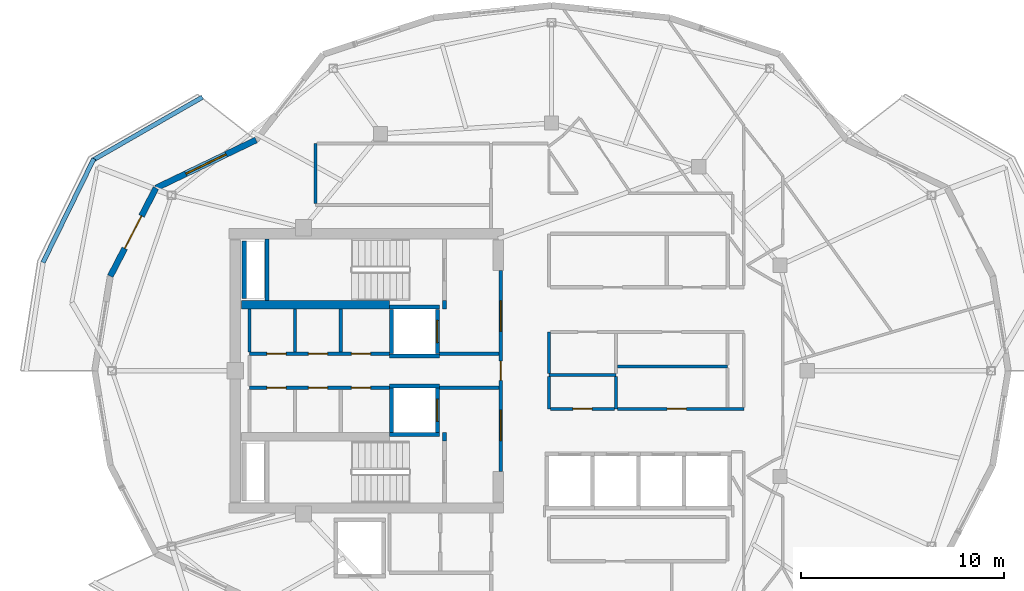
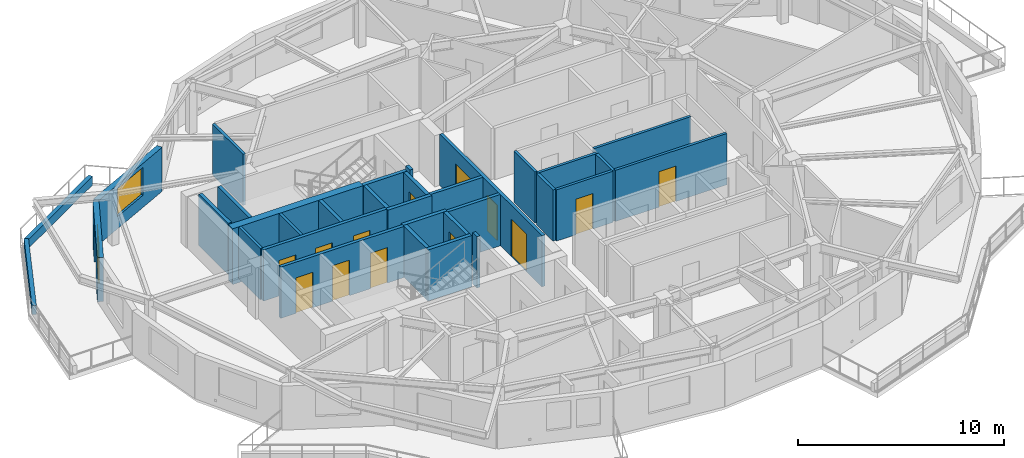
# One storey, part 5 of 11: 33 walls, 14 doors, 1 window, 15 openings.
"""IFC4 building model written with IfcOpenShell, lengths in metres."""

from ifc_helpers import new_model, si_unit, direction, frame, frame_2d, origin, place, context, subcontext, project, spatial, rectangle, extrude, material, layer, layer_set, type_object, element, fill, save


model = new_model("IFC4")

# Units and contexts
model_context = context("Model", 3, precision=1e-05, world=origin(), true_north=direction((0.0, 1.0)))
body_context = subcontext(model_context, "Body", "Model", "MODEL_VIEW")
ifc_project = project(units=[si_unit("LENGTHUNIT", "METRE"), si_unit("AREAUNIT", "SQUARE_METRE"), si_unit("VOLUMEUNIT", "CUBIC_METRE"), si_unit("PLANEANGLEUNIT", "RADIAN"), si_unit("MASSUNIT", "GRAM", prefix="KILO")], contexts=[model_context])

# Site, building, storey
site_placement = place(None, origin())
site = spatial("IfcSite", under=ifc_project, at=site_placement, CompositionType="ELEMENT")
building_placement = place(site_placement, origin())
building = spatial("IfcBuilding", under=site, at=building_placement, Name="Kolvaren Gate Tower and Convention Centre", CompositionType="ELEMENT")
storey_placement = place(building_placement, frame((0.0, 0.0, 242.60009765625)))
storey = spatial("IfcBuildingStorey", under=building, at=storey_placement, Name="L65", CompositionType="ELEMENT", Elevation=242.60009765625)

# Walls
ifc_material_1 = material(Name="Autoclaved Aerated Masonry Blockwork Class 4 (4.0 MPa)", Category="masonry")
ifc_layer_1 = layer(ifc_material_1, 0.179931640625)
ifc_layer_set_1 = layer_set([ifc_layer_1], Name="Autoclaved Aerated Masonry Blockwork Class 4 (4.0 MPa)")
wall_type_1 = type_object("IfcWallType", Name="ARCH-WL-COMP-180", PredefinedType="SOLIDWALL", material=ifc_layer_set_1)
for number, where, z_axis, x_axis, name in (
    (1, (24.85009765625, 23.5400390625, 0.0), (0.0, 0.0, 1.0), (0.0, 1.0, 0.0), "Interior Partition WL-L65-INT-001"),
    (2, (24.85009765625, 30.0400390625, 0.0), (0.0, 0.0, 1.0), (0.0, 1.0, 0.0), "Interior Partition WL-L65-INT-002"),
):
    element("IfcWall", number, at=place(storey_placement, frame(where, z_axis=z_axis, x_axis=x_axis)), inside=storey, type_object=wall_type_1, Name=name, PredefinedType="SOLIDWALL", context=body_context, shape_type="SweptSolid", body=[
        extrude(rectangle(XDim=0.419921875, YDim=0.179931640625, at=frame_2d((0.2099609375, 0.0))), origin(), (0.0, 0.0, 1.0), 3.02978515625),
    ])

# Wall, openings, doors
wall_1_placement = place(storey_placement, frame((27.6201171875, 22.050048828125, 0.0), z_axis=(0.0, 0.0, 1.0), x_axis=(0.0, 1.0, 0.0)))
wall_1 = element("IfcWall", 3, at=wall_1_placement, inside=storey, type_object=wall_type_1, Name="Interior Partition WL-L65-INT-003", PredefinedType="SOLIDWALL", context=body_context, shape_type="SweptSolid", body=[
    extrude(rectangle(XDim=9.89990234375, YDim=0.179931640625, at=frame_2d((4.949951171875, 0.0))), origin(), (0.0, 0.0, 1.0), 3.02978515625),
])
opening_1_placement = place(wall_1_placement, frame((4.47509765625, 0.0, 0.0)))
opening_1 = element("IfcOpeningElement", 4, at=opening_1_placement, cuts=wall_1, Name="Opening DR-01", PredefinedType="OPENING", context=body_context, shape_type="SweptSolid", body=[
    extrude(rectangle(XDim=0.949951171875, YDim=2.10009765625, at=frame_2d((0.47509765625, 1.050048828125))), frame((0.0, 0.099853515625, 0.0), z_axis=(0.0, -1.0, 0.0), x_axis=(1.0, 0.0, 0.0)), (0.0, 0.0, 1.0), 0.199951171875),
])
opening_2_placement = place(wall_1_placement, frame((6.889892578125, 0.0, 0.0)))
opening_2 = element("IfcOpeningElement", 5, at=opening_2_placement, cuts=wall_1, Name="Opening DL-01", PredefinedType="OPENING", context=body_context, shape_type="SweptSolid", body=[
    extrude(rectangle(XDim=1.5, YDim=2.199951171875, at=frame_2d((0.75, 1.10009765625))), frame((0.0, 0.099853515625, 0.0), z_axis=(0.0, -1.0, 0.0), x_axis=(1.0, 0.0, 0.0)), (0.0, 0.0, 1.0), 0.199951171875),
])
opening_3_placement = place(wall_1_placement, frame((1.510009765625, 0.0, 0.0)))
opening_3 = element("IfcOpeningElement", 6, at=opening_3_placement, cuts=wall_1, Name="Opening DL-01", PredefinedType="OPENING", context=body_context, shape_type="SweptSolid", body=[
    extrude(rectangle(XDim=1.5, YDim=2.199951171875, at=frame_2d((0.75, 1.10009765625))), frame((0.0, 0.099853515625, 0.0), z_axis=(0.0, -1.0, 0.0), x_axis=(1.0, 0.0, 0.0)), (0.0, 0.0, 1.0), 0.199951171875),
])
ifc_material_2 = material(Name="Painted Architectural Steelwork ASTM A500 Grade C 345 MPa", Category="steel")
door_type_1 = type_object("IfcDoorType", Name="ARCH-DR-LOBBY-1500", OperationType="DOUBLE_DOOR_SINGLE_SWING", PredefinedType="DOOR", material=ifc_material_2)
door_1_placement = place(opening_2_placement, origin())
door_1 = element("IfcDoor", 7, at=door_1_placement, inside=storey, type_object=door_type_1, Name="North Firefighting Stair and Lift Lobby Door", OperationType="DOUBLE_DOOR_SINGLE_SWING", OverallHeight=2.199951171875, OverallWidth=1.5, PredefinedType="DOOR", context=body_context, shape_type="SweptSolid", body=[
    extrude(rectangle(XDim=1.5, YDim=2.199951171875, at=frame_2d((0.75, 1.10009765625))), frame((0.0, 0.02490234375, 0.0), z_axis=(0.0, -1.0, 0.0), x_axis=(1.0, 0.0, 0.0)), (0.0, 0.0, 1.0), 0.050048828125),
])
fill(opening_2, door_1)
door_2_placement = place(opening_3_placement, origin())
door_2 = element("IfcDoor", 8, at=door_2_placement, inside=storey, type_object=door_type_1, Name="South Firefighting Stair and Lift Lobby Door", OperationType="DOUBLE_DOOR_SINGLE_SWING", OverallHeight=2.199951171875, OverallWidth=1.5, PredefinedType="DOOR", context=body_context, shape_type="SweptSolid", body=[
    extrude(rectangle(XDim=1.5, YDim=2.199951171875, at=frame_2d((0.75, 1.10009765625))), frame((0.0, 0.02490234375, 0.0), z_axis=(0.0, -1.0, 0.0), x_axis=(1.0, 0.0, 0.0)), (0.0, 0.0, 1.0), 0.050048828125),
])
fill(opening_3, door_2)
door_type_2 = type_object("IfcDoorType", Name="ARCH-DR-RISER-950", OperationType="SINGLE_SWING_RIGHT", PredefinedType="DOOR", material=ifc_material_2)
door_3_placement = place(opening_1_placement, origin())
door_3 = element("IfcDoor", 9, at=door_3_placement, inside=storey, type_object=door_type_2, Name="Central MEP Service Corridor Door", OperationType="SINGLE_SWING_LEFT", OverallHeight=2.10009765625, OverallWidth=0.949951171875, PredefinedType="DOOR", context=body_context, shape_type="SweptSolid", body=[
    extrude(rectangle(XDim=0.949951171875, YDim=2.10009765625, at=frame_2d((0.47509765625, 1.050048828125))), frame((0.0, 0.02490234375, 0.0), z_axis=(0.0, -1.0, 0.0), x_axis=(1.0, 0.0, 0.0)), (0.0, 0.0, 1.0), 0.050048828125),
])
fill(opening_1, door_3)

wall_2_placement = place(storey_placement, frame((15.25, 27.840087890625, 0.0), z_axis=(0.0, 0.0, 1.0), x_axis=(1.0, 0.0, 0.0)))
wall_2 = element("IfcWall", 10, at=wall_2_placement, inside=storey, type_object=wall_type_1, Name="Interior Partition WL-L65-INT-004", PredefinedType="SOLIDWALL", context=body_context, shape_type="SweptSolid", body=[
    extrude(rectangle(XDim=6.89990234375, YDim=0.179931640625, at=frame_2d((3.449951171875, 0.0))), origin(), (0.0, 0.0, 1.0), 3.02978515625),
])
opening_4_placement = place(wall_2_placement, frame((5.02001953125, 0.0, 0.0)))
opening_4 = element("IfcOpeningElement", 11, at=opening_4_placement, cuts=wall_2, Name="Opening DR-01", PredefinedType="OPENING", context=body_context, shape_type="SweptSolid", body=[
    extrude(rectangle(XDim=0.949951171875, YDim=2.10009765625, at=frame_2d((0.47509765625, 1.050048828125))), frame((0.0, 0.099853515625, 0.0), z_axis=(0.0, -1.0, 0.0), x_axis=(1.0, 0.0, 0.0)), (0.0, 0.0, 1.0), 0.199951171875),
])
opening_5_placement = place(wall_2_placement, frame((0.85498046875, 0.0, 0.0)))
opening_5 = element("IfcOpeningElement", 12, at=opening_5_placement, cuts=wall_2, Name="Opening DR-01", PredefinedType="OPENING", context=body_context, shape_type="SweptSolid", body=[
    extrude(rectangle(XDim=0.949951171875, YDim=2.10009765625, at=frame_2d((0.47509765625, 1.050048828125))), frame((0.0, 0.099853515625, 0.0), z_axis=(0.0, -1.0, 0.0), x_axis=(1.0, 0.0, 0.0)), (0.0, 0.0, 1.0), 0.199951171875),
])
opening_6_placement = place(wall_2_placement, frame((2.89990234375, 0.0, 0.0)))
opening_6 = element("IfcOpeningElement", 13, at=opening_6_placement, cuts=wall_2, Name="Opening DR-01", PredefinedType="OPENING", context=body_context, shape_type="SweptSolid", body=[
    extrude(rectangle(XDim=0.949951171875, YDim=2.10009765625, at=frame_2d((0.47509765625, 1.050048828125))), frame((0.0, 0.099853515625, 0.0), z_axis=(0.0, -1.0, 0.0), x_axis=(1.0, 0.0, 0.0)), (0.0, 0.0, 1.0), 0.199951171875),
])
door_4_placement = place(opening_4_placement, origin())
door_4 = element("IfcDoor", 14, at=door_4_placement, inside=storey, type_object=door_type_2, Name="Electrical Switchgear Closet Door", OperationType="SINGLE_SWING_RIGHT", OverallHeight=2.10009765625, OverallWidth=0.949951171875, PredefinedType="DOOR", context=body_context, shape_type="SweptSolid", body=[
    extrude(rectangle(XDim=0.949951171875, YDim=2.10009765625, at=frame_2d((0.47509765625, 1.050048828125))), frame((0.0, 0.02490234375, 0.0), z_axis=(0.0, -1.0, 0.0), x_axis=(1.0, 0.0, 0.0)), (0.0, 0.0, 1.0), 0.050048828125),
])
fill(opening_4, door_4)
door_5_placement = place(opening_5_placement, origin())
door_5 = element("IfcDoor", 15, at=door_5_placement, inside=storey, type_object=door_type_2, Name="Staff Accessible WC Door", OperationType="SINGLE_SWING_RIGHT", OverallHeight=2.10009765625, OverallWidth=0.949951171875, PredefinedType="DOOR", context=body_context, shape_type="SweptSolid", body=[
    extrude(rectangle(XDim=0.949951171875, YDim=2.10009765625, at=frame_2d((0.47509765625, 1.050048828125))), frame((0.0, 0.02490234375, 0.0), z_axis=(0.0, -1.0, 0.0), x_axis=(1.0, 0.0, 0.0)), (0.0, 0.0, 1.0), 0.050048828125),
])
fill(opening_5, door_5)
door_6_placement = place(opening_6_placement, origin())
door_6 = element("IfcDoor", 16, at=door_6_placement, inside=storey, type_object=door_type_2, Name="Housekeeping Sink Closet Door", OperationType="SINGLE_SWING_LEFT", OverallHeight=2.10009765625, OverallWidth=0.949951171875, PredefinedType="DOOR", context=body_context, shape_type="SweptSolid", body=[
    extrude(rectangle(XDim=0.949951171875, YDim=2.10009765625, at=frame_2d((0.47509765625, 1.050048828125))), frame((0.0, 0.02490234375, 0.0), z_axis=(0.0, -1.0, 0.0), x_axis=(1.0, 0.0, 0.0)), (0.0, 0.0, 1.0), 0.050048828125),
])
fill(opening_6, door_6)

# Wall
wall_3_placement = place(storey_placement, frame((24.60009765625, 27.840087890625, 0.0), z_axis=(0.0, 0.0, 1.0), x_axis=(1.0, 0.0, 0.0)))
element("IfcWall", 17, at=wall_3_placement, inside=storey, type_object=wall_type_1, Name="Interior Partition WL-L65-INT-004 (2)", PredefinedType="SOLIDWALL", context=body_context, shape_type="SweptSolid", body=[
    extrude(rectangle(XDim=2.927978515625, YDim=0.179931640625, at=frame_2d((1.4638671875, 0.0))), origin(), (0.0, 0.0, 1.0), 3.02978515625),
])

# Wall, openings, doors
wall_4_placement = place(storey_placement, frame((15.25, 26.159912109375, 0.0), z_axis=(0.0, 0.0, 1.0), x_axis=(1.0, 0.0, 0.0)))
wall_4 = element("IfcWall", 18, at=wall_4_placement, inside=storey, type_object=wall_type_1, Name="Interior Partition WL-L65-INT-005", PredefinedType="SOLIDWALL", context=body_context, shape_type="SweptSolid", body=[
    extrude(rectangle(XDim=6.89990234375, YDim=0.179931640625, at=frame_2d((3.449951171875, 0.0))), origin(), (0.0, 0.0, 1.0), 3.02978515625),
])
opening_7_placement = place(wall_4_placement, frame((5.02001953125, 0.0, 0.0)))
opening_7 = element("IfcOpeningElement", 19, at=opening_7_placement, cuts=wall_4, Name="Opening DR-01", PredefinedType="OPENING", context=body_context, shape_type="SweptSolid", body=[
    extrude(rectangle(XDim=0.949951171875, YDim=2.10009765625, at=frame_2d((0.47509765625, 1.050048828125))), frame((0.0, 0.099853515625, 0.0), z_axis=(0.0, -1.0, 0.0), x_axis=(1.0, 0.0, 0.0)), (0.0, 0.0, 1.0), 0.199951171875),
])
opening_8_placement = place(wall_4_placement, frame((0.85498046875, 0.0, 0.0)))
opening_8 = element("IfcOpeningElement", 20, at=opening_8_placement, cuts=wall_4, Name="Opening DR-01", PredefinedType="OPENING", context=body_context, shape_type="SweptSolid", body=[
    extrude(rectangle(XDim=0.949951171875, YDim=2.10009765625, at=frame_2d((0.47509765625, 1.050048828125))), frame((0.0, 0.099853515625, 0.0), z_axis=(0.0, -1.0, 0.0), x_axis=(1.0, 0.0, 0.0)), (0.0, 0.0, 1.0), 0.199951171875),
])
opening_9_placement = place(wall_4_placement, frame((2.89990234375, 0.0, 0.0)))
opening_9 = element("IfcOpeningElement", 21, at=opening_9_placement, cuts=wall_4, Name="Opening DR-01", PredefinedType="OPENING", context=body_context, shape_type="SweptSolid", body=[
    extrude(rectangle(XDim=0.949951171875, YDim=2.10009765625, at=frame_2d((0.47509765625, 1.050048828125))), frame((0.0, 0.099853515625, 0.0), z_axis=(0.0, -1.0, 0.0), x_axis=(1.0, 0.0, 0.0)), (0.0, 0.0, 1.0), 0.199951171875),
])
door_7_placement = place(opening_7_placement, origin())
door_7 = element("IfcDoor", 22, at=door_7_placement, inside=storey, type_object=door_type_2, Name="Domestic Water Meter Closet Door", OperationType="SINGLE_SWING_LEFT", OverallHeight=2.10009765625, OverallWidth=0.949951171875, PredefinedType="DOOR", context=body_context, shape_type="SweptSolid", body=[
    extrude(rectangle(XDim=0.949951171875, YDim=2.10009765625, at=frame_2d((0.47509765625, 1.050048828125))), frame((0.0, 0.02490234375, 0.0), z_axis=(0.0, -1.0, 0.0), x_axis=(1.0, 0.0, 0.0)), (0.0, 0.0, 1.0), 0.050048828125),
])
fill(opening_7, door_7)
door_8_placement = place(opening_8_placement, origin())
door_8 = element("IfcDoor", 23, at=door_8_placement, inside=storey, type_object=door_type_2, Name="Beverage Service Pantry Door", OperationType="SINGLE_SWING_RIGHT", OverallHeight=2.10009765625, OverallWidth=0.949951171875, PredefinedType="DOOR", context=body_context, shape_type="SweptSolid", body=[
    extrude(rectangle(XDim=0.949951171875, YDim=2.10009765625, at=frame_2d((0.47509765625, 1.050048828125))), frame((0.0, 0.02490234375, 0.0), z_axis=(0.0, -1.0, 0.0), x_axis=(1.0, 0.0, 0.0)), (0.0, 0.0, 1.0), 0.050048828125),
])
fill(opening_8, door_8)
door_9_placement = place(opening_9_placement, origin())
door_9 = element("IfcDoor", 24, at=door_9_placement, inside=storey, type_object=door_type_2, Name="Archive Supply Closet Door", OperationType="SINGLE_SWING_LEFT", OverallHeight=2.10009765625, OverallWidth=0.949951171875, PredefinedType="DOOR", context=body_context, shape_type="SweptSolid", body=[
    extrude(rectangle(XDim=0.949951171875, YDim=2.10009765625, at=frame_2d((0.47509765625, 1.050048828125))), frame((0.0, 0.02490234375, 0.0), z_axis=(0.0, -1.0, 0.0), x_axis=(1.0, 0.0, 0.0)), (0.0, 0.0, 1.0), 0.050048828125),
])
fill(opening_9, door_9)

# Walls
wall_5_placement = place(storey_placement, frame((24.60009765625, 26.159912109375, 0.0), z_axis=(0.0, 0.0, 1.0), x_axis=(1.0, 0.0, 0.0)))
element("IfcWall", 25, at=wall_5_placement, inside=storey, type_object=wall_type_1, Name="Interior Partition WL-L65-INT-005 (2)", PredefinedType="SOLIDWALL", context=body_context, shape_type="SweptSolid", body=[
    extrude(rectangle(XDim=2.927978515625, YDim=0.179931640625, at=frame_2d((1.4638671875, 0.0))), origin(), (0.0, 0.0, 1.0), 3.02978515625),
])
wall_6_placement = place(storey_placement, frame((19.75, 27.931884765625, 0.0), z_axis=(0.0, 0.0, 1.0), x_axis=(0.0, 1.0, 0.0)))
element("IfcWall", 26, at=wall_6_placement, inside=storey, type_object=wall_type_1, Name="Interior Partition WL-L65-INT-008", PredefinedType="SOLIDWALL", context=body_context, shape_type="SweptSolid", body=[
    extrude(rectangle(XDim=2.106201171875, YDim=0.179931640625, at=frame_2d((1.05322265625, 0.0))), origin(), (0.0, 0.0, 1.0), 3.02978515625),
])
ifc_material_3 = material(Name="Piedmont Cream Honed Limestone Cladding", Category="masonry")
ifc_layer_2 = layer(ifc_material_3, 0.219970703125)
ifc_layer_set_2 = layer_set([ifc_layer_2], Name="Piedmont Cream Honed Limestone Cladding")
wall_type_2 = type_object("IfcWallType", Name="ARCH-WL-PLANTER-220", PredefinedType="PARAPET", material=ifc_layer_set_2)
wall_7_placement = place(storey_placement, frame((7.556884765625, 37.390625, 0.0), z_axis=(0.0, 0.0, 1.0), x_axis=(0.866901621005, 0.49847926687, 0.0)))
element("IfcWall", 27, at=wall_7_placement, inside=storey, type_object=wall_type_2, Name="Vertical-Forest Balcony Stone Planter Kerb PK-L65-2.1", PredefinedType="PARAPET", context=body_context, shape_type="SweptSolid", body=[
    extrude(rectangle(XDim=6.196533203125, YDim=0.219970703125, at=frame_2d((3.09814453125, 0.0))), origin(), (0.0, 0.0, 1.0), 0.52001953125),
])
wall_8_placement = place(storey_placement, frame((5.078857421875, 32.337646484375, 0.0), z_axis=(0.0, 0.0, 1.0), x_axis=(0.440058847499, 0.897968936399, 0.0)))
element("IfcWall", 28, at=wall_8_placement, inside=storey, type_object=wall_type_2, Name="Vertical-Forest Balcony Stone Planter Kerb PK-L65-2.2", PredefinedType="PARAPET", context=body_context, shape_type="SweptSolid", body=[
    extrude(rectangle(XDim=5.689453125, YDim=0.219970703125, at=frame_2d((2.8447265625, 0.0))), origin(), (0.0, 0.0, 1.0), 0.52001953125),
])
ifc_layer_3 = layer(ifc_material_1, 0.199951171875)
ifc_layer_set_3 = layer_set([ifc_layer_3], Name="Autoclaved Aerated Masonry Blockwork Class 4 (4.0 MPa)")
wall_type_3 = type_object("IfcWallType", Name="ARCH-WL-SHAFT-200", PredefinedType="SOLIDWALL", material=ifc_layer_set_3)
for number, where, z_axis, x_axis, name in (
    (29, (22.14990234375, 30.139892578125, 0.0), (0.0, 0.0, 1.0), (1.0, 0.0, 0.0), "Elevator FF-01 L65 Fire Shaft Wall N"),
    (30, (22.14990234375, 27.739990234375, 0.0), (0.0, 0.0, 1.0), (1.0, 0.0, 0.0), "Elevator FF-01 L65 Fire Shaft Wall S"),
):
    element("IfcWall", number, at=place(storey_placement, frame(where, z_axis=z_axis, x_axis=x_axis)), inside=storey, type_object=wall_type_3, Name=name, PredefinedType="SOLIDWALL", context=body_context, shape_type="SweptSolid", body=[
        extrude(rectangle(XDim=2.4501953125, YDim=0.199951171875, at=frame_2d((1.22509765625, 0.0))), origin(), (0.0, 0.0, 1.0), 3.02978515625),
    ])
wall_9_placement = place(storey_placement, frame((22.25, 27.85009765625, 0.0), z_axis=(0.0, 0.0, 1.0), x_axis=(0.0, 1.0, 0.0)))
element("IfcWall", 31, at=wall_9_placement, inside=storey, type_object=wall_type_3, Name="Elevator FF-01 L65 Fire Shaft Wall W", PredefinedType="SOLIDWALL", context=body_context, shape_type="SweptSolid", body=[
    extrude(rectangle(XDim=2.179931640625, YDim=0.199951171875, at=frame_2d((1.08984375, 0.0))), origin(), (0.0, 0.0, 1.0), 3.02978515625),
])

# Wall, opening, door
wall_10_placement = place(storey_placement, frame((24.5, 27.85009765625, 0.0), z_axis=(0.0, 0.0, 1.0), x_axis=(0.0, 1.0, 0.0)))
wall_10 = element("IfcWall", 32, at=wall_10_placement, inside=storey, type_object=wall_type_3, Name="Elevator FF-01 L65 Fire Shaft Wall E", PredefinedType="SOLIDWALL", context=body_context, shape_type="SweptSolid", body=[
    extrude(rectangle(XDim=2.179931640625, YDim=0.199951171875, at=frame_2d((1.08984375, 0.0))), origin(), (0.0, 0.0, 1.0), 3.02978515625),
])
opening_10_placement = place(wall_10_placement, frame((0.5400390625, 0.0, 0.0)))
opening_10 = element("IfcOpeningElement", 33, at=opening_10_placement, cuts=wall_10, Name="Opening LD", PredefinedType="OPENING", context=body_context, shape_type="SweptSolid", body=[
    extrude(rectangle(XDim=1.10009765625, YDim=2.199951171875, at=frame_2d((0.550048828125, 1.10009765625))), frame((0.0, 0.10986328125, 0.0), z_axis=(0.0, -1.0, 0.0), x_axis=(1.0, 0.0, 0.0)), (0.0, 0.0, 1.0), 0.219970703125),
])
ifc_material_4 = material(Name="Brushed Stainless Steel Grade 316L", Category="steel")
door_type_3 = type_object("IfcDoorType", Name="ARCH-DR-LIFT-1100", OperationType="SLIDING_TO_LEFT", PredefinedType="DOOR", material=ifc_material_4)
door_10_placement = place(opening_10_placement, origin())
door_10 = element("IfcDoor", 34, at=door_10_placement, inside=storey, type_object=door_type_3, Name="Elevator FF-01 L65 Sliding Landing Door", OperationType="SLIDING_TO_LEFT", OverallHeight=2.199951171875, OverallWidth=1.10009765625, PredefinedType="DOOR", context=body_context, shape_type="SweptSolid", body=[
    extrude(rectangle(XDim=1.10009765625, YDim=2.199951171875, at=frame_2d((0.550048828125, 1.10009765625))), frame((0.0, 0.02490234375, 0.0), z_axis=(0.0, -1.0, 0.0), x_axis=(1.0, 0.0, 0.0)), (0.0, 0.0, 1.0), 0.050048828125),
])
fill(opening_10, door_10)

# Walls
for number, where, z_axis, x_axis, name in (
    (35, (22.14990234375, 26.260009765625, 0.0), (0.0, 0.0, 1.0), (1.0, 0.0, 0.0), "Elevator FF-02 L65 Fire Shaft Wall N"),
    (36, (22.14990234375, 23.860107421875, 0.0), (0.0, 0.0, 1.0), (1.0, 0.0, 0.0), "Elevator FF-02 L65 Fire Shaft Wall S"),
):
    element("IfcWall", number, at=place(storey_placement, frame(where, z_axis=z_axis, x_axis=x_axis)), inside=storey, type_object=wall_type_3, Name=name, PredefinedType="SOLIDWALL", context=body_context, shape_type="SweptSolid", body=[
        extrude(rectangle(XDim=2.4501953125, YDim=0.199951171875, at=frame_2d((1.22509765625, 0.0))), origin(), (0.0, 0.0, 1.0), 3.02978515625),
    ])
wall_11_placement = place(storey_placement, frame((22.25, 23.969970703125, 0.0), z_axis=(0.0, 0.0, 1.0), x_axis=(0.0, 1.0, 0.0)))
element("IfcWall", 37, at=wall_11_placement, inside=storey, type_object=wall_type_3, Name="Elevator FF-02 L65 Fire Shaft Wall W", PredefinedType="SOLIDWALL", context=body_context, shape_type="SweptSolid", body=[
    extrude(rectangle(XDim=2.179931640625, YDim=0.199951171875, at=frame_2d((1.08984375, 0.0))), origin(), (0.0, 0.0, 1.0), 3.02978515625),
])

# Wall, opening, door
wall_12_placement = place(storey_placement, frame((24.5, 23.969970703125, 0.0), z_axis=(0.0, 0.0, 1.0), x_axis=(0.0, 1.0, 0.0)))
wall_12 = element("IfcWall", 38, at=wall_12_placement, inside=storey, type_object=wall_type_3, Name="Elevator FF-02 L65 Fire Shaft Wall E", PredefinedType="SOLIDWALL", context=body_context, shape_type="SweptSolid", body=[
    extrude(rectangle(XDim=2.179931640625, YDim=0.199951171875, at=frame_2d((1.08984375, 0.0))), origin(), (0.0, 0.0, 1.0), 3.02978515625),
])
opening_11_placement = place(wall_12_placement, frame((0.5400390625, 0.0, 0.0)))
opening_11 = element("IfcOpeningElement", 39, at=opening_11_placement, cuts=wall_12, Name="Opening LD", PredefinedType="OPENING", context=body_context, shape_type="SweptSolid", body=[
    extrude(rectangle(XDim=1.10009765625, YDim=2.199951171875, at=frame_2d((0.550048828125, 1.10009765625))), frame((0.0, 0.10986328125, 0.0), z_axis=(0.0, -1.0, 0.0), x_axis=(1.0, 0.0, 0.0)), (0.0, 0.0, 1.0), 0.219970703125),
])
door_11_placement = place(opening_11_placement, origin())
door_11 = element("IfcDoor", 40, at=door_11_placement, inside=storey, type_object=door_type_3, Name="Elevator FF-02 L65 Sliding Landing Door", OperationType="SLIDING_TO_LEFT", OverallHeight=2.199951171875, OverallWidth=1.10009765625, PredefinedType="DOOR", context=body_context, shape_type="SweptSolid", body=[
    extrude(rectangle(XDim=1.10009765625, YDim=2.199951171875, at=frame_2d((0.550048828125, 1.10009765625))), frame((0.0, 0.02490234375, 0.0), z_axis=(0.0, -1.0, 0.0), x_axis=(1.0, 0.0, 0.0)), (0.0, 0.0, 1.0), 0.050048828125),
])
fill(opening_11, door_11)

# Wall
wall_13_placement = place(storey_placement, frame((14.989990234375, 30.550048828125, 0.0), z_axis=(0.0, 0.0, 1.0), x_axis=(0.0, 1.0, 0.0)))
element("IfcWall", 41, at=wall_13_placement, inside=storey, type_object=wall_type_3, Name="Vertical Shaft HVR L65 EI-120 Enclosure Wall W", PredefinedType="SOLIDWALL", context=body_context, shape_type="SweptSolid", body=[
    extrude(rectangle(XDim=2.849853515625, YDim=0.199951171875, at=frame_2d((1.4248046875, 0.0))), origin(), (0.0, 0.0, 1.0), 3.02978515625),
])

# Wall, opening, window
ifc_layer_4 = layer(ifc_material_3, 0.300048828125)
ifc_layer_set_4 = layer_set([ifc_layer_4], Name="Piedmont Cream Honed Limestone Cladding")
wall_type_4 = type_object("IfcWallType", Name="ARCH-WL-STONE-300", PredefinedType="SOLIDWALL", material=ifc_layer_set_4)
wall_14_placement = place(storey_placement, frame((10.639404296875, 36.0, 0.0), z_axis=(0.0, 0.0, 1.0), x_axis=(0.901355238351, 0.433080517106, 0.0)))
wall_14 = element("IfcWall", 42, at=wall_14_placement, inside=storey, type_object=wall_type_4, Name="Tower L65 Honed Stone Spandrel Wall EW-09", PredefinedType="SOLIDWALL", context=body_context, shape_type="SweptSolid", body=[
    extrude(rectangle(XDim=5.47314453125, YDim=0.300048828125, at=frame_2d((2.736572265625, 0.0))), origin(), (0.0, 0.0, 1.0), 2.60498046875),
])
opening_12_placement = place(wall_14_placement, frame((1.636962890625, 0.0, 0.719970703125)))
opening_12 = element("IfcOpeningElement", 43, at=opening_12_placement, cuts=wall_14, Name="Opening W-03", PredefinedType="OPENING", context=body_context, shape_type="SweptSolid", body=[
    extrude(rectangle(XDim=2.199951171875, YDim=1.64990234375, at=frame_2d((1.10009765625, 0.824951171875))), frame((0.0, 0.159912109375, 0.0), z_axis=(0.0, -1.0, 0.0), x_axis=(1.0, 0.0, 0.0)), (0.0, 0.0, 1.0), 0.320068359375),
])
ifc_material_5 = material(Name="Low-E Triple Insulated Glazing Unit 44 mm", Category="glass")
window_type = type_object("IfcWindowType", Name="ARCH-WN-RES-2200", PartitioningType="SINGLE_PANEL", PredefinedType="WINDOW", material=ifc_material_5)
window_placement = place(opening_12_placement, origin())
window = element("IfcWindow", 44, at=window_placement, inside=storey, type_object=window_type, Name="Tower L65 Punched Stone Facade Window W-09", OverallHeight=1.64990234375, OverallWidth=2.199951171875, PartitioningType="SINGLE_PANEL", PredefinedType="WINDOW", context=body_context, shape_type="SweptSolid", body=[
    extrude(rectangle(XDim=2.199951171875, YDim=1.64990234375, at=frame_2d((1.10009765625, 0.824951171875))), frame((0.0, 0.030029296875, 0.0), z_axis=(0.0, -1.0, 0.0), x_axis=(1.0, 0.0, 0.0)), (0.0, 0.0, 1.0), 0.06005859375),
])
fill(opening_12, window)

# Wall, opening, door
wall_15_placement = place(storey_placement, frame((8.3916015625, 31.65869140625, 0.0), z_axis=(0.0, 0.0, 1.0), x_axis=(0.459793771602, 0.888025724625, 0.0)))
wall_15 = element("IfcWall", 45, at=wall_15_placement, inside=storey, type_object=wall_type_4, Name="Tower L65 Honed Stone Spandrel Wall EW-10", PredefinedType="SOLIDWALL", context=body_context, shape_type="SweptSolid", body=[
    extrude(rectangle(XDim=4.888671875, YDim=0.300048828125, at=frame_2d((2.4443359375, 0.0))), origin(), (0.0, 0.0, 1.0), 2.60498046875),
])
opening_13_placement = place(wall_15_placement, frame((1.5439453125, 0.0, 0.0)))
opening_13 = element("IfcOpeningElement", 46, at=opening_13_placement, cuts=wall_15, Name="Opening DB-01", PredefinedType="OPENING", context=body_context, shape_type="SweptSolid", body=[
    extrude(rectangle(XDim=1.800048828125, YDim=2.25, at=frame_2d((0.89990234375, 1.125))), frame((0.0, 0.159912109375, 0.0), z_axis=(0.0, -1.0, 0.0), x_axis=(1.0, 0.0, 0.0)), (0.0, 0.0, 1.0), 0.320068359375),
])
ifc_material_6 = material(Name="Anodized Architectural Aluminium Alloy 6063-T6", Category="aluminium")
door_type_4 = type_object("IfcDoorType", Name="ARCH-DR-BALC-1800", OperationType="SLIDING_TO_LEFT", PredefinedType="DOOR", material=ifc_material_6)
door_12_placement = place(opening_13_placement, origin())
door_12 = element("IfcDoor", 47, at=door_12_placement, inside=storey, type_object=door_type_4, Name="Planted Sky Terrace Access Door DB-L65-10", OperationType="SLIDING_TO_LEFT", OverallHeight=2.25, OverallWidth=1.800048828125, PredefinedType="DOOR", context=body_context, shape_type="SweptSolid", body=[
    extrude(rectangle(XDim=1.800048828125, YDim=2.25, at=frame_2d((0.89990234375, 1.125))), frame((0.0, 0.02490234375, 0.0), z_axis=(0.0, -1.0, 0.0), x_axis=(1.0, 0.0, 0.0)), (0.0, 0.0, 1.0), 0.050048828125),
])
fill(opening_13, door_12)

# Walls
ifc_material_7 = material(Name="Moisture-Resistant Cement-Board Acoustic Partition", Category="gypsum")
ifc_layer_5 = layer(ifc_material_7, 0.14990234375)
ifc_layer_set_5 = layer_set([ifc_layer_5], Name="Moisture-Resistant Cement-Board Acoustic Partition")
wall_type_5 = type_object("IfcWallType", Name="ARCH-WL-WET-150", PredefinedType="PARTITIONING", material=ifc_layer_set_5)
for number, where, z_axis, x_axis, name in (
    (48, (15.25, 27.931884765625, 0.0), (0.0, 0.0, 1.0), (0.0, 1.0, 0.0), "Interior Partition WL-L65-INT-006 (3)"),
    (49, (17.5, 27.931884765625, 0.0), (0.0, 0.0, 1.0), (0.0, 1.0, 0.0), "Interior Partition WL-L65-INT-010"),
):
    element("IfcWall", number, at=place(storey_placement, frame(where, z_axis=z_axis, x_axis=x_axis)), inside=storey, type_object=wall_type_5, Name=name, PredefinedType="PARTITIONING", context=body_context, shape_type="SweptSolid", body=[
        extrude(rectangle(XDim=2.106201171875, YDim=0.14990234375, at=frame_2d((1.05322265625, 0.0))), origin(), (0.0, 0.0, 1.0), 3.02978515625),
    ])
wall_16_placement = place(storey_placement, frame((30.0, 26.800048828125, 0.0), z_axis=(0.0, 0.0, 1.0), x_axis=(1.0, 0.0, 0.0)))
element("IfcWall", 50, at=wall_16_placement, inside=storey, type_object=wall_type_5, Name="Interior Partition WL-L65-INT-016", PredefinedType="PARTITIONING", context=body_context, shape_type="SweptSolid", body=[
    extrude(rectangle(XDim=3.300048828125, YDim=0.14990234375, at=frame_2d((1.64990234375, 0.0))), origin(), (0.0, 0.0, 1.0), 3.02978515625),
])
wall_17_placement = place(storey_placement, frame((30.0, 25.1201171875, 0.0), z_axis=(0.0, 0.0, 1.0), x_axis=(0.0, 1.0, 0.0)))
element("IfcWall", 51, at=wall_17_placement, inside=storey, type_object=wall_type_5, Name="Interior Partition WL-L65-INT-018", PredefinedType="PARTITIONING", context=body_context, shape_type="SweptSolid", body=[
    extrude(rectangle(XDim=1.602783203125, YDim=0.14990234375, at=frame_2d((0.80126953125, 0.0))), origin(), (0.0, 0.0, 1.0), 3.02978515625),
])
wall_18_placement = place(storey_placement, frame((30.0, 26.876953125, 0.0), z_axis=(0.0, 0.0, 1.0), x_axis=(0.0, 1.0, 0.0)))
element("IfcWall", 52, at=wall_18_placement, inside=storey, type_object=wall_type_5, Name="Interior Partition WL-L65-INT-018 (2)", PredefinedType="PARTITIONING", context=body_context, shape_type="SweptSolid", body=[
    extrude(rectangle(XDim=2.04296875, YDim=0.14990234375, at=frame_2d((1.021484375, 0.0))), origin(), (0.0, 0.0, 1.0), 3.02978515625),
])
wall_19_placement = place(storey_placement, frame((33.300048828125, 25.1201171875, 0.0), z_axis=(0.0, 0.0, 1.0), x_axis=(0.0, 1.0, 0.0)))
element("IfcWall", 53, at=wall_19_placement, inside=storey, type_object=wall_type_5, Name="Interior Partition WL-L65-INT-022", PredefinedType="PARTITIONING", context=body_context, shape_type="SweptSolid", body=[
    extrude(rectangle(XDim=1.602783203125, YDim=0.14990234375, at=frame_2d((0.80126953125, 0.0))), origin(), (0.0, 0.0, 1.0), 3.02978515625),
])

# Wall, opening, door
wall_20_placement = place(storey_placement, frame((30.076904296875, 25.1201171875, 0.0), z_axis=(0.0, 0.0, 1.0), x_axis=(1.0, 0.0, 0.0)))
wall_20 = element("IfcWall", 54, at=wall_20_placement, inside=storey, type_object=wall_type_5, Name="Interior Partition WL-L65-INT-023", PredefinedType="PARTITIONING", context=body_context, shape_type="SweptSolid", body=[
    extrude(rectangle(XDim=3.14599609375, YDim=0.14990234375, at=frame_2d((1.572998046875, 0.0))), origin(), (0.0, 0.0, 1.0), 3.02978515625),
])
opening_14_placement = place(wall_20_placement, frame((1.097900390625, 0.0, 0.0)))
opening_14 = element("IfcOpeningElement", 55, at=opening_14_placement, cuts=wall_20, Name="Opening DR-01", PredefinedType="OPENING", context=body_context, shape_type="SweptSolid", body=[
    extrude(rectangle(XDim=0.949951171875, YDim=2.10009765625, at=frame_2d((0.47509765625, 1.050048828125))), frame((0.0, 0.0849609375, 0.0), z_axis=(0.0, -1.0, 0.0), x_axis=(1.0, 0.0, 0.0)), (0.0, 0.0, 1.0), 0.169921875),
])
door_13_placement = place(opening_14_placement, origin())
door_13 = element("IfcDoor", 56, at=door_13_placement, inside=storey, type_object=door_type_2, Name="South Visitor Washroom Door", OperationType="SINGLE_SWING_RIGHT", OverallHeight=2.10009765625, OverallWidth=0.949951171875, PredefinedType="DOOR", context=body_context, shape_type="SweptSolid", body=[
    extrude(rectangle(XDim=0.949951171875, YDim=2.10009765625, at=frame_2d((0.47509765625, 1.050048828125))), frame((0.0, 0.02490234375, 0.0), z_axis=(0.0, -1.0, 0.0), x_axis=(1.0, 0.0, 0.0)), (0.0, 0.0, 1.0), 0.050048828125),
])
fill(opening_14, door_13)

wall_21_placement = place(storey_placement, frame((33.376953125, 25.1201171875, 0.0), z_axis=(0.0, 0.0, 1.0), x_axis=(1.0, 0.0, 0.0)))
wall_21 = element("IfcWall", 57, at=wall_21_placement, inside=storey, type_object=wall_type_5, Name="Interior Partition WL-L65-INT-023 (2)", PredefinedType="PARTITIONING", context=body_context, shape_type="SweptSolid", body=[
    extrude(rectangle(XDim=6.22314453125, YDim=0.14990234375, at=frame_2d((3.111572265625, 0.0))), origin(), (0.0, 0.0, 1.0), 3.02978515625),
])
opening_15_placement = place(wall_21_placement, frame((2.44140625, 0.0, 0.0)))
opening_15 = element("IfcOpeningElement", 58, at=opening_15_placement, cuts=wall_21, Name="Opening DR-01", PredefinedType="OPENING", context=body_context, shape_type="SweptSolid", body=[
    extrude(rectangle(XDim=0.949951171875, YDim=2.10009765625, at=frame_2d((0.47509765625, 1.050048828125))), frame((0.0, 0.0849609375, 0.0), z_axis=(0.0, -1.0, 0.0), x_axis=(1.0, 0.0, 0.0)), (0.0, 0.0, 1.0), 0.169921875),
])
door_14_placement = place(opening_15_placement, origin())
door_14 = element("IfcDoor", 59, at=door_14_placement, inside=storey, type_object=door_type_2, Name="Floor Coffee Pantry Door", OperationType="SINGLE_SWING_RIGHT", OverallHeight=2.10009765625, OverallWidth=0.949951171875, PredefinedType="DOOR", context=body_context, shape_type="SweptSolid", body=[
    extrude(rectangle(XDim=0.949951171875, YDim=2.10009765625, at=frame_2d((0.47509765625, 1.050048828125))), frame((0.0, 0.02490234375, 0.0), z_axis=(0.0, -1.0, 0.0), x_axis=(1.0, 0.0, 0.0)), (0.0, 0.0, 1.0), 0.050048828125),
])
fill(opening_15, door_14)

# Walls
wall_22_placement = place(storey_placement, frame((33.376953125, 27.219970703125, 0.0), z_axis=(0.0, 0.0, 1.0), x_axis=(1.0, 0.0, 0.0)))
element("IfcWall", 60, at=wall_22_placement, inside=storey, type_object=wall_type_5, Name="Interior Partition WL-L65-INT-024", PredefinedType="PARTITIONING", context=body_context, shape_type="SweptSolid", body=[
    extrude(rectangle(XDim=5.423095703125, YDim=0.14990234375, at=frame_2d((2.71142578125, 0.0))), origin(), (0.0, 0.0, 1.0), 3.02978515625),
])
wall_23_placement = place(storey_placement, frame((18.5, 35.237060546875, 0.0), z_axis=(0.0, 0.0, 1.0), x_axis=(0.0, 1.0, 0.0)))
element("IfcWall", 61, at=wall_23_placement, inside=storey, type_object=wall_type_5, Name="Interior Partition WL-L65-INT-034", PredefinedType="PARTITIONING", context=body_context, shape_type="SweptSolid", body=[
    extrude(rectangle(XDim=2.962890625, YDim=0.14990234375, at=frame_2d((1.4814453125, 0.0))), origin(), (0.0, 0.0, 1.0), 3.02978515625),
])
ifc_material_8 = material(Name="Concrete C50/60", Category="concrete")
ifc_layer_6 = layer(ifc_material_8, 0.419921875)
ifc_layer_set_6 = layer_set([ifc_layer_6], Name="Concrete C50/60")
wall_type_6 = type_object("IfcWallType", Name="STR-WL-CONV-420", PredefinedType="SHEAR", material=ifc_layer_set_6)
wall_24_placement = place(storey_placement, frame((14.85009765625, 30.25, -0.27001953125), z_axis=(0.0, 0.0, 1.0), x_axis=(1.0, 0.0, 0.0)))
element("IfcWall", 62, at=wall_24_placement, inside=storey, type_object=wall_type_6, Name="Tower L65 Offset Core Shear Wall WN", PredefinedType="SHEAR", context=body_context, shape_type="SweptSolid", body=[
    extrude(rectangle(XDim=7.2998046875, YDim=0.419921875, at=frame_2d((3.64990234375, 0.0))), origin(), (0.0, 0.0, 1.0), 3.2998046875),
])
ifc_layer_7 = layer(ifc_material_8, 0.199951171875)
ifc_layer_set_7 = layer_set([ifc_layer_7], Name="Concrete C50/60")
wall_type_7 = type_object("IfcWallType", Name="STR-WL-SHAFT-200", PredefinedType="SHEAR", material=ifc_layer_set_7)
wall_25_placement = place(storey_placement, frame((16.10009765625, 30.4619140625, -0.27001953125), z_axis=(0.0, 0.0, 1.0), x_axis=(0.0, 1.0, 0.0)))
element("IfcWall", 63, at=wall_25_placement, inside=storey, type_object=wall_type_7, Name="Tower North Exit Stair ST-T1 L65 Structural Shear Enclosure Wall FAR", PredefinedType="SHEAR", context=body_context, shape_type="SweptSolid", body=[
    extrude(rectangle(XDim=3.0361328125, YDim=0.199951171875, at=frame_2d((1.51806640625, 0.0))), origin(), (0.0, 0.0, 1.0), 3.2998046875),
])

save(model, "model.ifc")
